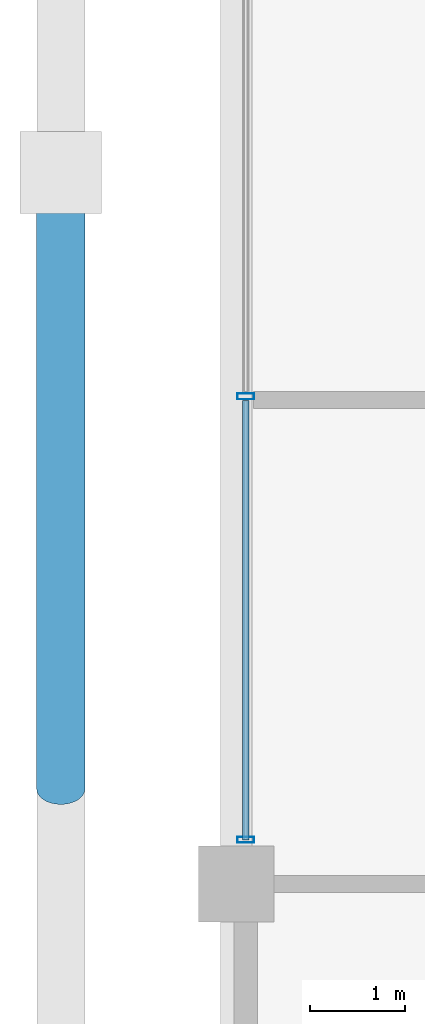
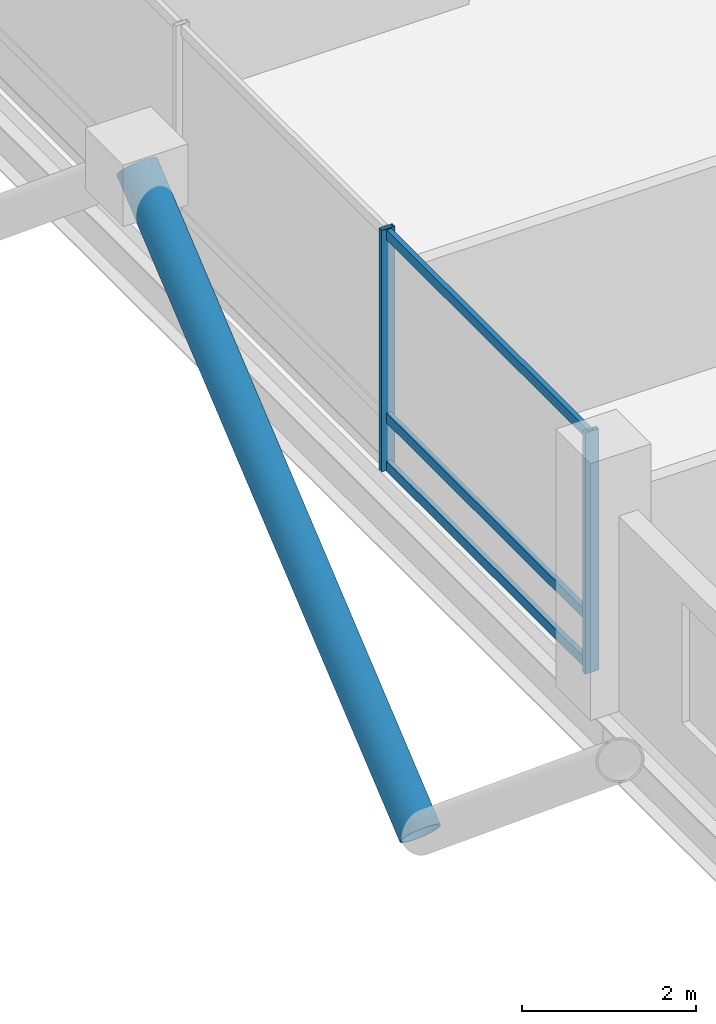
# One storey, part 4 of 23: 6 members, 1 element without a shape of its own.
"""IFC4 building model written with IfcOpenShell, lengths in metres."""

import ifcopenshell
import ifcopenshell.guid

model = None  # the IFC model being written
_history = None  # IfcOwnerHistory: only IFC2X3 demands one
_inside = {}  # id of a spatial element -> (the spatial element, [elements in it])
_under = {}  # id of a project, library or spatial element -> (it, [spatial elements below it])
_declared = {}  # id of a project -> (the project, [libraries it declares])
_typed = {}  # id of a type object -> (the type object, [elements of that type])
_made_of = {}  # id of a material, layer set ... -> (it, [elements and type objects made of it])


def new_model(schema):
    """Start an empty IFC model of exactly this schema.

    Asked for "IFC4X3", IfcOpenShell would pick the latest addendum, in which some entities
    have other attributes; the version numbers below select the first issue.
    IFC2X3 requires an IfcOwnerHistory on every rooted entity: one is made here for all.
    """
    global model, _history
    if schema == "IFC4X3":
        model = ifcopenshell.file(schema_version=(4, 3, 0, 0))
    else:
        model = ifcopenshell.file(schema=schema)
    _inside.clear()
    _under.clear()
    _declared.clear()
    _typed.clear()
    _made_of.clear()
    _history = None
    if model.schema == "IFC2X3":
        org = make("IfcOrganization", Name="unknown")
        user = make(
            "IfcPersonAndOrganization",
            ThePerson=make("IfcPerson", FamilyName="unknown"),
            TheOrganization=org,
        )
        app = make(
            "IfcApplication",
            ApplicationDeveloper=org,
            Version="unknown",
            ApplicationFullName="unknown",
            ApplicationIdentifier="unknown",
        )
        _history = make(
            "IfcOwnerHistory",
            OwningUser=user,
            OwningApplication=app,
            ChangeAction="ADDED",
            CreationDate=0,
        )
    return model


def make(cls, **values):
    """One entity of the class cls with the attributes given. An attribute that is None is left unset."""
    return model.create_entity(
        cls, **{name: value for name, value in values.items() if value is not None}
    )


def rooted(cls, **values):
    """An entity with a GlobalId (a new one), such as an element, a storey or a relation."""
    return make(cls, GlobalId=ifcopenshell.guid.new(), OwnerHistory=_history, **values)


def si_unit(unit_type, name, prefix=None):
    """IfcSIUnit, for example si_unit("LENGTHUNIT", "METRE", prefix="MILLI")."""
    return make("IfcSIUnit", UnitType=unit_type, Prefix=prefix, Name=name)


def assignment(units):
    """IfcUnitAssignment: the units of a project."""
    return None if units is None else make("IfcUnitAssignment", Units=units)


def point(xyz):
    """IfcCartesianPoint."""
    return None if xyz is None else make("IfcCartesianPoint", Coordinates=xyz)


def direction(xyz):
    """IfcDirection."""
    return None if xyz is None else make("IfcDirection", DirectionRatios=xyz)


def frame(location, z_axis=None, x_axis=None):
    """IfcAxis2Placement3D, a coordinate frame: its origin and axes. An axis left out is left unset."""
    return make(
        "IfcAxis2Placement3D",
        Location=point(location),
        Axis=direction(z_axis),
        RefDirection=direction(x_axis),
    )


def frame_2d(location, x_axis=None):
    """IfcAxis2Placement2D, a coordinate frame in the plane: its origin and x axis."""
    return make(
        "IfcAxis2Placement2D", Location=point(location), RefDirection=direction(x_axis)
    )


def origin():
    """The frame at (0, 0, 0) with its axes left unset."""
    return frame((0.0, 0.0, 0.0))


def origin_2d():
    """The frame at (0, 0) in the plane with its x axis left unset."""
    return frame_2d((0.0, 0.0))


def place(relative_to, where):
    """IfcLocalPlacement: puts the frame where relative to a parent placement (None: the world)."""
    return make(
        "IfcLocalPlacement", PlacementRelTo=relative_to, RelativePlacement=where
    )


def context(
    kind, dimensions, precision=None, world=None, true_north=None, identifier=None
):
    """IfcGeometricRepresentationContext, for example the 3D "Model" context."""
    return make(
        "IfcGeometricRepresentationContext",
        ContextIdentifier=identifier,
        ContextType=kind,
        CoordinateSpaceDimension=dimensions,
        Precision=precision,
        WorldCoordinateSystem=world,
        TrueNorth=true_north,
    )


def subcontext(parent, identifier, kind, view, scale=None):
    """IfcGeometricRepresentationSubContext, for example "Body" below "Model"."""
    return make(
        "IfcGeometricRepresentationSubContext",
        ContextIdentifier=identifier,
        ContextType=kind,
        ParentContext=parent,
        TargetScale=scale,
        TargetView=view,
    )


def project(units=None, contexts=None):
    """IfcProject with its units and contexts."""
    return rooted(
        "IfcProject",
        Name="project",
        RepresentationContexts=contexts,
        UnitsInContext=assignment(units),
    )


def spatial(cls, under=None, at=None, **own):
    """A site, building, storey or space (cls), placed at a placement, below another one or the project."""
    s = rooted(cls, ObjectPlacement=at, **own)
    if under is not None:
        _under.setdefault(under.id(), (under, []))[1].append(s)
    return s


def profile(cls, at=None, kind="AREA", **sizes):
    """A parametric profile (cls). Its sizes go by their IFC names, for example OverallWidth=200.0."""
    return make(cls, ProfileType=kind, Position=at, **sizes)


def hollow_rectangle(**sizes):
    """IfcRectangleHollowProfileDef."""
    return profile("IfcRectangleHollowProfileDef", **sizes)


def hollow_circle(**sizes):
    """IfcCircleHollowProfileDef."""
    return profile("IfcCircleHollowProfileDef", **sizes)


def extrude(swept, where, along, depth):
    """IfcExtrudedAreaSolid: the profile swept, set in the frame where, extruded along a direction by depth."""
    return make(
        "IfcExtrudedAreaSolid",
        SweptArea=swept,
        Position=where,
        ExtrudedDirection=direction(along),
        Depth=depth,
    )


def shape(context_of_items, identifier, shape_type, items):
    """IfcShapeRepresentation: the items that make up one representation, for example the "Body"."""
    return make(
        "IfcShapeRepresentation",
        ContextOfItems=context_of_items,
        RepresentationIdentifier=identifier,
        RepresentationType=shape_type,
        Items=items,
    )


def material(Name=None, Category=None):
    """IfcMaterial."""
    return make("IfcMaterial", Name=Name, Category=Category)


def layer(
    of_material, thickness, ventilated=None, Name=None, Category=None, Priority=None
):
    """IfcMaterialLayer: one layer of a wall or slab, of a material (None: an air gap)."""
    return make(
        "IfcMaterialLayer",
        Material=of_material,
        LayerThickness=thickness,
        IsVentilated=ventilated,
        Name=Name,
        Category=Category,
        Priority=Priority,
    )


def layer_set(layers, Name=None):
    """IfcMaterialLayerSet."""
    return make("IfcMaterialLayerSet", MaterialLayers=layers, LayerSetName=Name)


def material_profile(
    of_material, cross_section, Name=None, Category=None, Priority=None
):
    """IfcMaterialProfile: a cross section and its material."""
    return make(
        "IfcMaterialProfile",
        Name=Name,
        Material=of_material,
        Profile=cross_section,
        Priority=Priority,
        Category=Category,
    )


def profile_set(profiles, Name=None, composite=None):
    """IfcMaterialProfileSet."""
    return make(
        "IfcMaterialProfileSet",
        Name=Name,
        MaterialProfiles=profiles,
        CompositeProfile=composite,
    )


def made_of(thing, what):
    """Note that an element or type object is made of a material, layer set ...; save() writes the relation."""
    if what is not None:
        _made_of.setdefault(what.id(), (what, []))[1].append(thing)
    return thing


def type_object(cls, material=None, **own):
    """A type object (cls), such as IfcWallType, which elements share."""
    return made_of(rooted(cls, **own), material)


def element(
    cls,
    number,
    at=None,
    inside=None,
    cuts=None,
    type_object=None,
    material=None,
    context=None,
    identifier="Body",
    shape_type=None,
    held_by="IfcProductDefinitionShape",
    body=None,
    shapes=None,
    **own,
):
    """One element of the class cls, such as IfcWall. Its Tag is "e" and its number.

    at: its placement. inside: the storey or other place that contains it. cuts: it is an
    opening in that element (IfcRelVoidsElement). A single representation is given by context,
    identifier, shape_type and body (its items); several are given by shapes. held_by: the class
    of the entity that holds the representations. save() writes the other relations.
    """
    e = rooted(cls, Tag="e%d" % number, ObjectPlacement=at, **own)
    if body is not None:
        shapes = [shape(context, identifier, shape_type, body)]
    if shapes is not None:
        e.Representation = make(held_by, Representations=shapes)
    if inside is not None:
        _inside.setdefault(inside.id(), (inside, []))[1].append(e)
    if cuts is not None:
        rooted(
            "IfcRelVoidsElement", RelatingBuildingElement=cuts, RelatedOpeningElement=e
        )
    if type_object is not None:
        _typed.setdefault(type_object.id(), (type_object, []))[1].append(e)
    return made_of(e, material)


def aggregate(whole, parts):
    """IfcRelAggregates: a whole, such as a stair, and the parts it consists of."""
    return rooted("IfcRelAggregates", RelatingObject=whole, RelatedObjects=parts)


def save(model, path):
    """Write the relations noted so far, then the file.

    IfcRelAggregates (storeys below a building ...), IfcRelContainedInSpatialStructure (elements
    in a storey), IfcRelDefinesByType, IfcRelAssociatesMaterial and IfcRelDeclares: one each for
    every whole, place, type object, material and project.
    """
    for whole, parts in _under.values():
        aggregate(whole, parts)
    for where, things in _inside.values():
        rooted(
            "IfcRelContainedInSpatialStructure",
            RelatedElements=things,
            RelatingStructure=where,
        )
    for kind, things in _typed.values():
        rooted("IfcRelDefinesByType", RelatedObjects=things, RelatingType=kind)
    for what, things in _made_of.values():
        rooted("IfcRelAssociatesMaterial", RelatedObjects=things, RelatingMaterial=what)
    for by, libraries in _declared.values():
        rooted("IfcRelDeclares", RelatingContext=by, RelatedDefinitions=libraries)
    model.write(path)


model = new_model("IFC4")

# Units and contexts
model_context = context("Model", 3, precision=1e-05, world=origin(), true_north=direction((0.0, 1.0)))
body_context = subcontext(model_context, "Body", "Model", "MODEL_VIEW")
ifc_project = project(units=[si_unit("LENGTHUNIT", "METRE"), si_unit("AREAUNIT", "SQUARE_METRE"), si_unit("VOLUMEUNIT", "CUBIC_METRE"), si_unit("PLANEANGLEUNIT", "RADIAN"), si_unit("MASSUNIT", "GRAM", prefix="KILO")], contexts=[model_context])

# Site, building, storey
site_placement = place(None, origin())
site = spatial("IfcSite", under=ifc_project, at=site_placement, CompositionType="ELEMENT")
building_placement = place(site_placement, origin())
building = spatial("IfcBuilding", under=site, at=building_placement, Name="Barlavira Tower and Art Museum", CompositionType="ELEMENT")
storey_placement = place(building_placement, frame((0.0, 0.0, 151.199951171875)))
storey = spatial("IfcBuildingStorey", under=building, at=storey_placement, Name="L38", CompositionType="ELEMENT", Elevation=151.199951171875)

# Curtain wall, members
ifc_material_1 = material(Name="Low-iron coastal laminated glass", Category="glass")
ifc_layer = layer(ifc_material_1, 0.18994140625, Name="Low-iron coastal laminated glass")
ifc_layer_set = layer_set([ifc_layer], Name="Low-iron coastal laminated glass")
curtain_wall_type = type_object("IfcCurtainWallType", Name="Pale-Metal Unitised Curtain Wall Zone 2", PredefinedType="NOTDEFINED", material=ifc_layer_set)
curtain_wall_placement = place(storey_placement, origin())
curtain_wall = element("IfcCurtainWall", 1, at=curtain_wall_placement, inside=storey, type_object=curtain_wall_type, Name="L38 Curtain Wall CW2-L38-W-B3", PredefinedType="NOTDEFINED")
ifc_material_2 = material(Name="Pale anodised aluminium", Category="aluminium")
ifc_material_profile_1 = material_profile(ifc_material_2, hollow_rectangle(XDim=0.06494140625, YDim=0.179931640625, WallThickness=0.00390625, at=origin_2d()), Name="ALU-MULL 65x180x4")
ifc_profile_set_1 = profile_set([ifc_material_profile_1], Name="Pale anodised aluminium")
member_type_1 = type_object("IfcMemberType", Name="Curtain Wall Pale-Metal Mullion 65x180", PredefinedType="MULLION", material=ifc_profile_set_1)
member_1_placement = place(storey_placement, frame((-20.14990234375, -2.360107421875, 0.0), z_axis=(0.0, 0.0, 1.0), x_axis=(0.0, -1.0, 0.0)))
member_1 = element("IfcMember", 2, at=member_1_placement, type_object=member_type_1, Name="CW2-L38-W-B3 Mullion 2", PredefinedType="MULLION", context=body_context, shape_type="SweptSolid", body=[
    extrude(hollow_rectangle(XDim=0.06494140625, YDim=0.179931640625, WallThickness=0.00390625, at=origin_2d()), origin(), (0.0, 0.0, 1.0), 3.380126953125),
])
member_2_placement = place(storey_placement, frame((-20.14990234375, -7.034912109375, 0.0), z_axis=(0.0, 0.0, 1.0), x_axis=(0.0, -1.0, 0.0)))
member_2 = element("IfcMember", 3, at=member_2_placement, type_object=member_type_1, Name="CW2-L38-W-B3 Mullion 3", PredefinedType="MULLION", context=body_context, shape_type="SweptSolid", body=[
    extrude(hollow_rectangle(XDim=0.06494140625, YDim=0.179931640625, WallThickness=0.00390625, at=origin_2d()), origin(), (0.0, 0.0, 1.0), 3.380126953125),
])
ifc_material_profile_2 = material_profile(ifc_material_2, hollow_rectangle(XDim=0.06494140625, YDim=0.139892578125, WallThickness=0.00390625, at=origin_2d()), Name="ALU-TRAN 65x140x4")
ifc_profile_set_2 = profile_set([ifc_material_profile_2], Name="Pale anodised aluminium")
member_type_2 = type_object("IfcMemberType", Name="Curtain Wall Pale-Metal Transom 65x140", PredefinedType="USERDEFINED", material=ifc_profile_set_2)
member_3_placement = place(storey_placement, frame((-20.14990234375, -2.405029296875, 0.070068359375), z_axis=(0.0, -1.0, 0.0), x_axis=(1.0, 0.0, 0.0)))
member_3 = element("IfcMember", 4, at=member_3_placement, type_object=member_type_2, Name="CW2-L38-W-B3 Transom 2.1", ObjectType="TRANSOM", PredefinedType="USERDEFINED", context=body_context, shape_type="SweptSolid", body=[
    extrude(hollow_rectangle(XDim=0.06494140625, YDim=0.139892578125, WallThickness=0.00390625, at=origin_2d()), origin(), (0.0, 0.0, 1.0), 4.6298828125),
])
member_4_placement = place(storey_placement, frame((-20.14990234375, -2.405029296875, 0.744140625), z_axis=(0.0, -1.0, 0.0), x_axis=(1.0, 0.0, 0.0)))
member_4 = element("IfcMember", 5, at=member_4_placement, type_object=member_type_2, Name="CW2-L38-W-B3 Transom 2.2", ObjectType="TRANSOM", PredefinedType="USERDEFINED", context=body_context, shape_type="SweptSolid", body=[
    extrude(hollow_rectangle(XDim=0.06494140625, YDim=0.139892578125, WallThickness=0.00390625, at=origin_2d()), origin(), (0.0, 0.0, 1.0), 4.6298828125),
])
member_5_placement = place(storey_placement, frame((-20.14990234375, -2.405029296875, 3.31005859375), z_axis=(0.0, -1.0, 0.0), x_axis=(1.0, 0.0, 0.0)))
member_5 = element("IfcMember", 6, at=member_5_placement, type_object=member_type_2, Name="CW2-L38-W-B3 Transom 2.3", ObjectType="TRANSOM", PredefinedType="USERDEFINED", context=body_context, shape_type="SweptSolid", body=[
    extrude(hollow_rectangle(XDim=0.06494140625, YDim=0.139892578125, WallThickness=0.00390625, at=origin_2d()), origin(), (0.0, 0.0, 1.0), 4.6298828125),
])
aggregate(curtain_wall, [member_1, member_2, member_3, member_4, member_5])

# Member
ifc_material_3 = material(Name="Steel S355", Category="steel")
ifc_material_profile_3 = material_profile(ifc_material_3, hollow_circle(Radius=0.25390625, WallThickness=0.022216796875, at=origin_2d()), Name="CHS 508.0x22.2")
ifc_profile_set_3 = profile_set([ifc_material_profile_3], Name="Steel S355")
member_type_3 = type_object("IfcMemberType", Name="Pale-Metal Exoskeleton Diagrid Tube CHS 508x22 Steel S355", PredefinedType="BRACE", material=ifc_profile_set_3)
member_6_placement = place(storey_placement, frame((-22.10009765625, -6.5, -1.919921875), z_axis=(0.0, 0.769196053329, 0.639012857104), x_axis=(-1.0, 0.0, 0.0)))
element("IfcMember", 7, at=member_6_placement, inside=storey, type_object=member_type_3, Name="L38 Exoskeleton Diagrid Tube W", PredefinedType="BRACE", context=body_context, shape_type="SweptSolid", body=[
    extrude(hollow_circle(Radius=0.25390625, WallThickness=0.022216796875, at=origin_2d()), origin(), (0.0, 0.0, 1.0), 8.450439453125),
])

save(model, "model.ifc")
